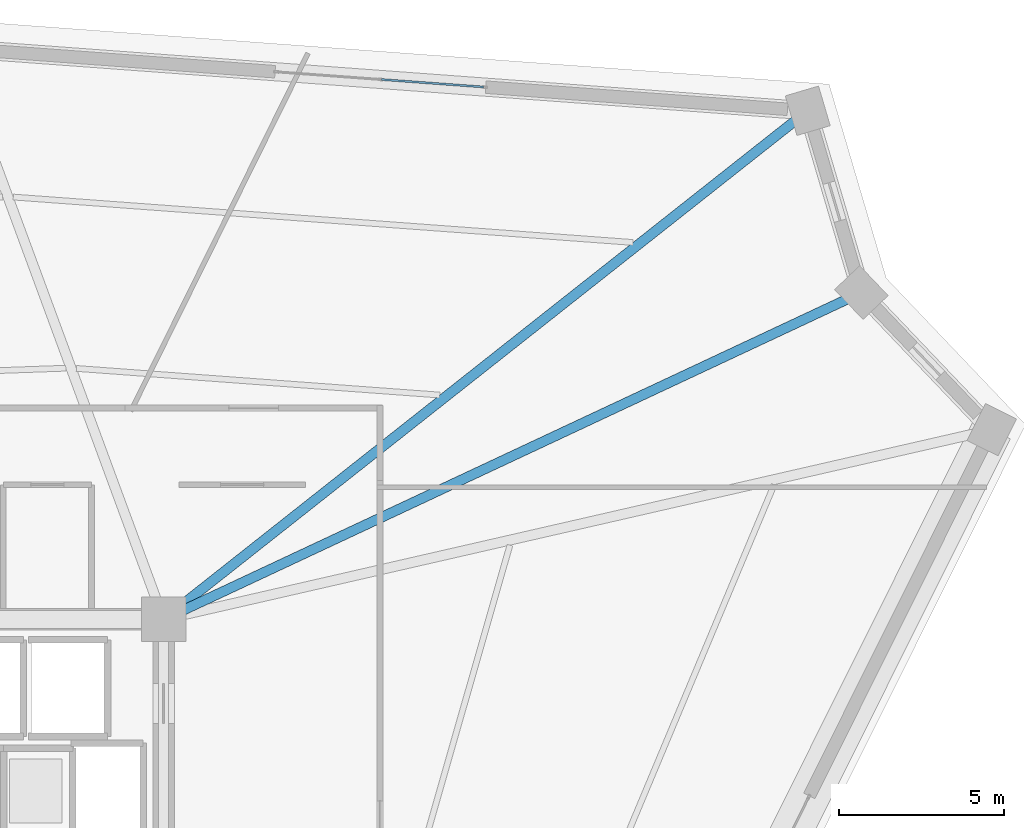
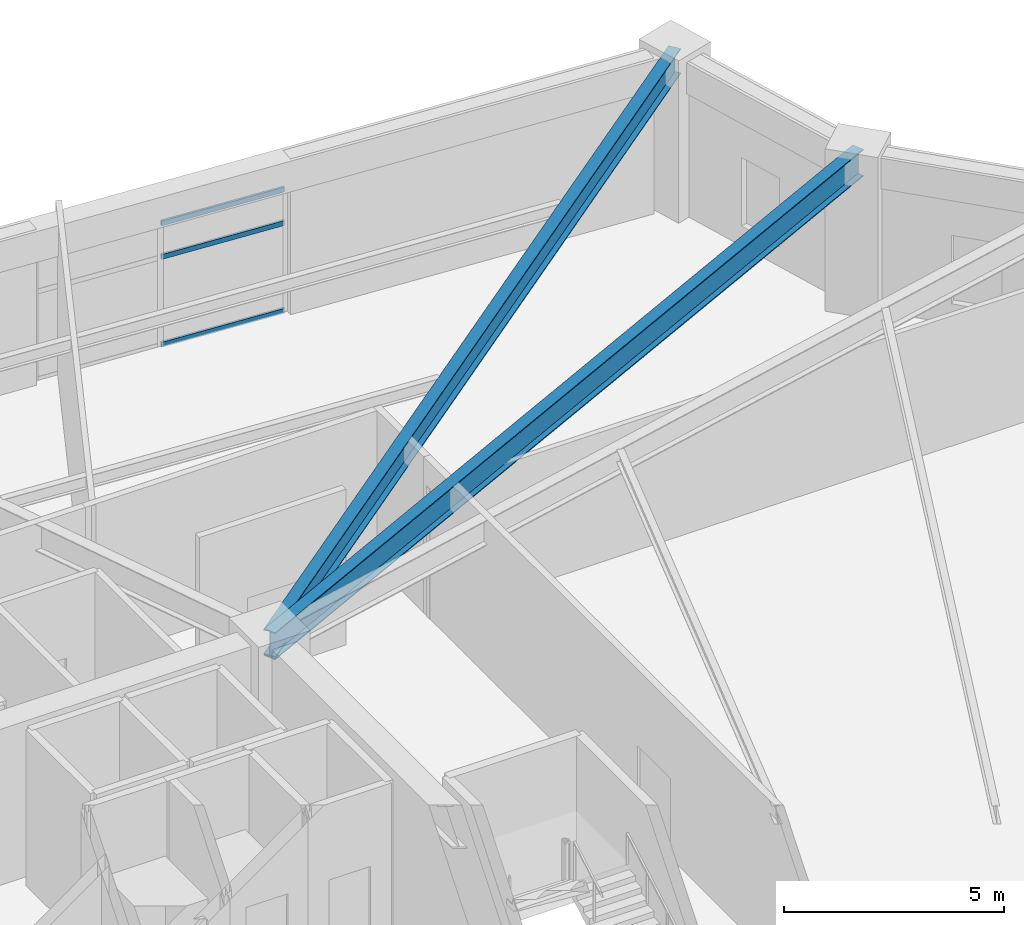
# One storey, part 27 of 39: 3 members, 2 beams, 1 element without a shape of its own.
"""IFC4 building model written with IfcOpenShell, lengths in metres."""

import ifcopenshell
import ifcopenshell.guid

model = None  # the IFC model being written
_history = None  # IfcOwnerHistory: only IFC2X3 demands one
_inside = {}  # id of a spatial element -> (the spatial element, [elements in it])
_under = {}  # id of a project, library or spatial element -> (it, [spatial elements below it])
_declared = {}  # id of a project -> (the project, [libraries it declares])
_typed = {}  # id of a type object -> (the type object, [elements of that type])
_made_of = {}  # id of a material, layer set ... -> (it, [elements and type objects made of it])


def new_model(schema):
    """Start an empty IFC model of exactly this schema.

    Asked for "IFC4X3", IfcOpenShell would pick the latest addendum, in which some entities
    have other attributes; the version numbers below select the first issue.
    IFC2X3 requires an IfcOwnerHistory on every rooted entity: one is made here for all.
    """
    global model, _history
    if schema == "IFC4X3":
        model = ifcopenshell.file(schema_version=(4, 3, 0, 0))
    else:
        model = ifcopenshell.file(schema=schema)
    _inside.clear()
    _under.clear()
    _declared.clear()
    _typed.clear()
    _made_of.clear()
    _history = None
    if model.schema == "IFC2X3":
        org = make("IfcOrganization", Name="unknown")
        user = make(
            "IfcPersonAndOrganization",
            ThePerson=make("IfcPerson", FamilyName="unknown"),
            TheOrganization=org,
        )
        app = make(
            "IfcApplication",
            ApplicationDeveloper=org,
            Version="unknown",
            ApplicationFullName="unknown",
            ApplicationIdentifier="unknown",
        )
        _history = make(
            "IfcOwnerHistory",
            OwningUser=user,
            OwningApplication=app,
            ChangeAction="ADDED",
            CreationDate=0,
        )
    return model


def make(cls, **values):
    """One entity of the class cls with the attributes given. An attribute that is None is left unset."""
    return model.create_entity(
        cls, **{name: value for name, value in values.items() if value is not None}
    )


def rooted(cls, **values):
    """An entity with a GlobalId (a new one), such as an element, a storey or a relation."""
    return make(cls, GlobalId=ifcopenshell.guid.new(), OwnerHistory=_history, **values)


def si_unit(unit_type, name, prefix=None):
    """IfcSIUnit, for example si_unit("LENGTHUNIT", "METRE", prefix="MILLI")."""
    return make("IfcSIUnit", UnitType=unit_type, Prefix=prefix, Name=name)


def assignment(units):
    """IfcUnitAssignment: the units of a project."""
    return None if units is None else make("IfcUnitAssignment", Units=units)


def point(xyz):
    """IfcCartesianPoint."""
    return None if xyz is None else make("IfcCartesianPoint", Coordinates=xyz)


def direction(xyz):
    """IfcDirection."""
    return None if xyz is None else make("IfcDirection", DirectionRatios=xyz)


def frame(location, z_axis=None, x_axis=None):
    """IfcAxis2Placement3D, a coordinate frame: its origin and axes. An axis left out is left unset."""
    return make(
        "IfcAxis2Placement3D",
        Location=point(location),
        Axis=direction(z_axis),
        RefDirection=direction(x_axis),
    )


def frame_2d(location, x_axis=None):
    """IfcAxis2Placement2D, a coordinate frame in the plane: its origin and x axis."""
    return make(
        "IfcAxis2Placement2D", Location=point(location), RefDirection=direction(x_axis)
    )


def origin():
    """The frame at (0, 0, 0) with its axes left unset."""
    return frame((0.0, 0.0, 0.0))


def origin_2d():
    """The frame at (0, 0) in the plane with its x axis left unset."""
    return frame_2d((0.0, 0.0))


def place(relative_to, where):
    """IfcLocalPlacement: puts the frame where relative to a parent placement (None: the world)."""
    return make(
        "IfcLocalPlacement", PlacementRelTo=relative_to, RelativePlacement=where
    )


def context(
    kind, dimensions, precision=None, world=None, true_north=None, identifier=None
):
    """IfcGeometricRepresentationContext, for example the 3D "Model" context."""
    return make(
        "IfcGeometricRepresentationContext",
        ContextIdentifier=identifier,
        ContextType=kind,
        CoordinateSpaceDimension=dimensions,
        Precision=precision,
        WorldCoordinateSystem=world,
        TrueNorth=true_north,
    )


def subcontext(parent, identifier, kind, view, scale=None):
    """IfcGeometricRepresentationSubContext, for example "Body" below "Model"."""
    return make(
        "IfcGeometricRepresentationSubContext",
        ContextIdentifier=identifier,
        ContextType=kind,
        ParentContext=parent,
        TargetScale=scale,
        TargetView=view,
    )


def project(units=None, contexts=None):
    """IfcProject with its units and contexts."""
    return rooted(
        "IfcProject",
        Name="project",
        RepresentationContexts=contexts,
        UnitsInContext=assignment(units),
    )


def spatial(cls, under=None, at=None, **own):
    """A site, building, storey or space (cls), placed at a placement, below another one or the project."""
    s = rooted(cls, ObjectPlacement=at, **own)
    if under is not None:
        _under.setdefault(under.id(), (under, []))[1].append(s)
    return s


def profile(cls, at=None, kind="AREA", **sizes):
    """A parametric profile (cls). Its sizes go by their IFC names, for example OverallWidth=200.0."""
    return make(cls, ProfileType=kind, Position=at, **sizes)


def hollow_rectangle(**sizes):
    """IfcRectangleHollowProfileDef."""
    return profile("IfcRectangleHollowProfileDef", **sizes)


def i_section(**sizes):
    """IfcIShapeProfileDef."""
    return profile("IfcIShapeProfileDef", **sizes)


def extrude(swept, where, along, depth):
    """IfcExtrudedAreaSolid: the profile swept, set in the frame where, extruded along a direction by depth."""
    return make(
        "IfcExtrudedAreaSolid",
        SweptArea=swept,
        Position=where,
        ExtrudedDirection=direction(along),
        Depth=depth,
    )


def shape(context_of_items, identifier, shape_type, items):
    """IfcShapeRepresentation: the items that make up one representation, for example the "Body"."""
    return make(
        "IfcShapeRepresentation",
        ContextOfItems=context_of_items,
        RepresentationIdentifier=identifier,
        RepresentationType=shape_type,
        Items=items,
    )


def source(mapping_origin, context_of_items, identifier, shape_type, items):
    """IfcRepresentationMap: a shape defined once, which mapped items show again and again."""
    return make(
        "IfcRepresentationMap",
        MappingOrigin=mapping_origin,
        MappedRepresentation=shape(context_of_items, identifier, shape_type, items),
    )


def transform(
    local_origin,
    x_axis=None,
    y_axis=None,
    z_axis=None,
    scale=None,
    scale2=None,
    scale3=None,
    uniform=True,
):
    """IfcCartesianTransformationOperator3D, or its non-uniform kind. x_axis, y_axis, z_axis: its Axis1, 2, 3."""
    if uniform:
        return make(
            "IfcCartesianTransformationOperator3D",
            Axis1=direction(x_axis),
            Axis2=direction(y_axis),
            LocalOrigin=point(local_origin),
            Scale=scale,
            Axis3=direction(z_axis),
        )
    return make(
        "IfcCartesianTransformationOperator3DnonUniform",
        Axis1=direction(x_axis),
        Axis2=direction(y_axis),
        LocalOrigin=point(local_origin),
        Scale=scale,
        Axis3=direction(z_axis),
        Scale2=scale2,
        Scale3=scale3,
    )


def mapped(mapping_source, mapping_target):
    """IfcMappedItem: shows the shape of a source again, moved by a transform."""
    return make(
        "IfcMappedItem", MappingSource=mapping_source, MappingTarget=mapping_target
    )


def material(Name=None, Category=None):
    """IfcMaterial."""
    return make("IfcMaterial", Name=Name, Category=Category)


def layer(
    of_material, thickness, ventilated=None, Name=None, Category=None, Priority=None
):
    """IfcMaterialLayer: one layer of a wall or slab, of a material (None: an air gap)."""
    return make(
        "IfcMaterialLayer",
        Material=of_material,
        LayerThickness=thickness,
        IsVentilated=ventilated,
        Name=Name,
        Category=Category,
        Priority=Priority,
    )


def layer_set(layers, Name=None):
    """IfcMaterialLayerSet."""
    return make("IfcMaterialLayerSet", MaterialLayers=layers, LayerSetName=Name)


def material_profile(
    of_material, cross_section, Name=None, Category=None, Priority=None
):
    """IfcMaterialProfile: a cross section and its material."""
    return make(
        "IfcMaterialProfile",
        Name=Name,
        Material=of_material,
        Profile=cross_section,
        Priority=Priority,
        Category=Category,
    )


def profile_set(profiles, Name=None, composite=None):
    """IfcMaterialProfileSet."""
    return make(
        "IfcMaterialProfileSet",
        Name=Name,
        MaterialProfiles=profiles,
        CompositeProfile=composite,
    )


def made_of(thing, what):
    """Note that an element or type object is made of a material, layer set ...; save() writes the relation."""
    if what is not None:
        _made_of.setdefault(what.id(), (what, []))[1].append(thing)
    return thing


def type_object(cls, material=None, **own):
    """A type object (cls), such as IfcWallType, which elements share."""
    return made_of(rooted(cls, **own), material)


def element(
    cls,
    number,
    at=None,
    inside=None,
    cuts=None,
    type_object=None,
    material=None,
    context=None,
    identifier="Body",
    shape_type=None,
    held_by="IfcProductDefinitionShape",
    body=None,
    shapes=None,
    **own,
):
    """One element of the class cls, such as IfcWall. Its Tag is "e" and its number.

    at: its placement. inside: the storey or other place that contains it. cuts: it is an
    opening in that element (IfcRelVoidsElement). A single representation is given by context,
    identifier, shape_type and body (its items); several are given by shapes. held_by: the class
    of the entity that holds the representations. save() writes the other relations.
    """
    e = rooted(cls, Tag="e%d" % number, ObjectPlacement=at, **own)
    if body is not None:
        shapes = [shape(context, identifier, shape_type, body)]
    if shapes is not None:
        e.Representation = make(held_by, Representations=shapes)
    if inside is not None:
        _inside.setdefault(inside.id(), (inside, []))[1].append(e)
    if cuts is not None:
        rooted(
            "IfcRelVoidsElement", RelatingBuildingElement=cuts, RelatedOpeningElement=e
        )
    if type_object is not None:
        _typed.setdefault(type_object.id(), (type_object, []))[1].append(e)
    return made_of(e, material)


def aggregate(whole, parts):
    """IfcRelAggregates: a whole, such as a stair, and the parts it consists of."""
    return rooted("IfcRelAggregates", RelatingObject=whole, RelatedObjects=parts)


def save(model, path):
    """Write the relations noted so far, then the file.

    IfcRelAggregates (storeys below a building ...), IfcRelContainedInSpatialStructure (elements
    in a storey), IfcRelDefinesByType, IfcRelAssociatesMaterial and IfcRelDeclares: one each for
    every whole, place, type object, material and project.
    """
    for whole, parts in _under.values():
        aggregate(whole, parts)
    for where, things in _inside.values():
        rooted(
            "IfcRelContainedInSpatialStructure",
            RelatedElements=things,
            RelatingStructure=where,
        )
    for kind, things in _typed.values():
        rooted("IfcRelDefinesByType", RelatedObjects=things, RelatingType=kind)
    for what, things in _made_of.values():
        rooted("IfcRelAssociatesMaterial", RelatedObjects=things, RelatingMaterial=what)
    for by, libraries in _declared.values():
        rooted("IfcRelDeclares", RelatingContext=by, RelatedDefinitions=libraries)
    model.write(path)


model = new_model("IFC4")

# Units and contexts
model_context = context("Model", 3, precision=1e-05, world=origin(), true_north=direction((0.0, 1.0)))
body_context = subcontext(model_context, "Body", "Model", "MODEL_VIEW")
ifc_project = project(units=[si_unit("LENGTHUNIT", "METRE"), si_unit("AREAUNIT", "SQUARE_METRE"), si_unit("VOLUMEUNIT", "CUBIC_METRE"), si_unit("PLANEANGLEUNIT", "RADIAN"), si_unit("MASSUNIT", "GRAM", prefix="KILO")], contexts=[model_context])

# Site, building, storey
site_placement = place(None, origin())
site = spatial("IfcSite", under=ifc_project, at=site_placement, CompositionType="ELEMENT")
building_placement = place(site_placement, origin())
building = spatial("IfcBuilding", under=site, at=building_placement, Name="Liaohun Quay Tower", CompositionType="ELEMENT")
storey_placement = place(building_placement, frame((0.0, 0.0, 189.75)))
storey = spatial("IfcBuildingStorey", under=building, at=storey_placement, Name="L49", CompositionType="ELEMENT", Elevation=189.75)

# Beams
ifc_material_1 = material(Name="Steel Q355D", Category="steel")
ifc_material_profile_1 = material_profile(ifc_material_1, i_section(OverallWidth=0.300048828125, OverallDepth=0.75, WebThickness=0.013916015625, FlangeThickness=0.02587890625, at=origin_2d()), Name="HN750x300x14x26")
ifc_profile_set_1 = profile_set([ifc_material_profile_1], Name="Steel Q355D")
beam_type_1 = type_object("IfcBeamType", Name="BM-RAD-M2", PredefinedType="BEAM", material=ifc_profile_set_1)
shared_shape_1 = source(origin(), body_context, "Body", "SweptSolid", [
    extrude(i_section(OverallWidth=0.300048828125, OverallDepth=0.75, WebThickness=0.013916015625, FlangeThickness=0.02587890625, at=origin_2d()), origin(), (0.0, 0.0, 1.0), 23.347412109375),
])
beam_1_placement = place(storey_placement, frame((69.0, 61.5, 3.945068359375), z_axis=(0.905586236327, 0.424162196071, 0.0), x_axis=(-0.424162196071, 0.905586236327, 0.0)))
element("IfcBeam", 1, at=beam_1_placement, inside=storey, type_object=beam_type_1, Name="L49 Radial Primary Girder CC4-PC08", PredefinedType="BEAM", context=body_context, shape_type="MappedRepresentation", body=[
    mapped(shared_shape_1, transform((0.0, 0.0, 0.0), x_axis=(1.0, 0.0, 0.0), y_axis=(0.0, 1.0, 0.0), z_axis=(0.0, 0.0, 1.0), scale=1.0)),
])
ifc_material_profile_2 = material_profile(ifc_material_1, i_section(OverallWidth=0.300048828125, OverallDepth=0.699951171875, WebThickness=0.012939453125, FlangeThickness=0.02392578125, at=origin_2d()), Name="HN700x300x13x24")
ifc_profile_set_2 = profile_set([ifc_material_profile_2], Name="Steel Q355D")
beam_type_2 = type_object("IfcBeamType", Name="BM-RAD-U1", PredefinedType="BEAM", material=ifc_profile_set_2)
shared_shape_2 = source(origin(), body_context, "Body", "SweptSolid", [
    extrude(i_section(OverallWidth=0.300048828125, OverallDepth=0.699951171875, WebThickness=0.012939453125, FlangeThickness=0.02392578125, at=origin_2d()), origin(), (0.0, 0.0, 1.0), 24.870849609375),
])
beam_2_placement = place(storey_placement, frame((69.0, 61.5, 3.969970703125), z_axis=(0.784817933062, 0.619726400877, 0.0), x_axis=(-0.619726400877, 0.784817933062, 0.0)))
element("IfcBeam", 2, at=beam_2_placement, inside=storey, type_object=beam_type_2, Name="L49 Radial Primary Girder CC4-PC07", PredefinedType="BEAM", context=body_context, shape_type="MappedRepresentation", body=[
    mapped(shared_shape_2, transform((0.0, 0.0, 0.0), x_axis=(1.0, 0.0, 0.0), y_axis=(0.0, 1.0, 0.0), z_axis=(0.0, 0.0, 1.0), scale=1.0)),
])

# Curtain wall, members
ifc_material_2 = material(Name="Mid-height zone-break sky-lobby curtain wall")
ifc_layer = layer(ifc_material_2, 0.199951171875, Name="Mid-height zone-break sky-lobby curtain wall")
ifc_layer_set = layer_set([ifc_layer], Name="Mid-height zone-break sky-lobby curtain wall")
curtain_wall_type = type_object("IfcCurtainWallType", Name="CW-SKY-L49", PredefinedType="NOTDEFINED", material=ifc_layer_set)
curtain_wall_placement = place(storey_placement, origin())
curtain_wall = element("IfcCurtainWall", 3, at=curtain_wall_placement, inside=storey, type_object=curtain_wall_type, Name="L49 Panoramic Belvedere Curtain Wall 03", PredefinedType="NOTDEFINED")
ifc_material_3 = material(Name="Anodised aluminium 6063-T6", Category="aluminium")
ifc_material_profile_3 = material_profile(ifc_material_3, hollow_rectangle(XDim=0.06005859375, YDim=0.135009765625, WallThickness=0.00390625, at=origin_2d()), Name="RHS135x60x4")
ifc_profile_set_3 = profile_set([ifc_material_profile_3], Name="Anodised aluminium 6063-T6")
member_type = type_object("IfcMemberType", Name="MEM-CWT-SKY", PredefinedType="USERDEFINED", material=ifc_profile_set_3)
shared_shape_3 = source(origin(), body_context, "Body", "SweptSolid", [
    extrude(hollow_rectangle(XDim=0.06005859375, YDim=0.135009765625, WallThickness=0.00390625, at=origin_2d()), origin(), (0.0, 0.0, 1.0), 3.102783203125),
])
member_1_placement = place(storey_placement, frame((78.6962890625, 77.6337890625, 0.030029296875), z_axis=(-0.997336237205, 0.072941277467, 0.0), x_axis=(-0.072941277467, -0.997336237205, 0.0)))
member_1 = element("IfcMember", 4, at=member_1_placement, type_object=member_type, Name="CW4 transom 1.1", ObjectType="TRANSOM", PredefinedType="USERDEFINED", context=body_context, shape_type="MappedRepresentation", body=[
    mapped(shared_shape_3, transform((0.0, 0.0, 0.0), x_axis=(1.0, 0.0, 0.0), y_axis=(0.0, 1.0, 0.0), z_axis=(0.0, 0.0, 1.0), scale=1.0)),
])
member_2_placement = place(storey_placement, frame((78.6962890625, 77.6337890625, 2.4619140625), z_axis=(-0.997336237205, 0.072941277467, 0.0), x_axis=(-0.072941277467, -0.997336237205, 0.0)))
member_2 = element("IfcMember", 5, at=member_2_placement, type_object=member_type, Name="CW4 transom 1.2", ObjectType="TRANSOM", PredefinedType="USERDEFINED", context=body_context, shape_type="MappedRepresentation", body=[
    mapped(shared_shape_3, transform((0.0, 0.0, 0.0), x_axis=(1.0, 0.0, 0.0), y_axis=(0.0, 1.0, 0.0), z_axis=(0.0, 0.0, 1.0), scale=1.0)),
])
member_3_placement = place(storey_placement, frame((78.6962890625, 77.6337890625, 3.389892578125), z_axis=(-0.997336237205, 0.072941277467, 0.0), x_axis=(-0.072941277467, -0.997336237205, 0.0)))
member_3 = element("IfcMember", 6, at=member_3_placement, type_object=member_type, Name="CW4 transom 1.3", ObjectType="TRANSOM", PredefinedType="USERDEFINED", context=body_context, shape_type="MappedRepresentation", body=[
    mapped(shared_shape_3, transform((0.0, 0.0, 0.0), x_axis=(1.0, 0.0, 0.0), y_axis=(0.0, 1.0, 0.0), z_axis=(0.0, 0.0, 1.0), scale=1.0)),
])
aggregate(curtain_wall, [member_1, member_2, member_3])

save(model, "model.ifc")
